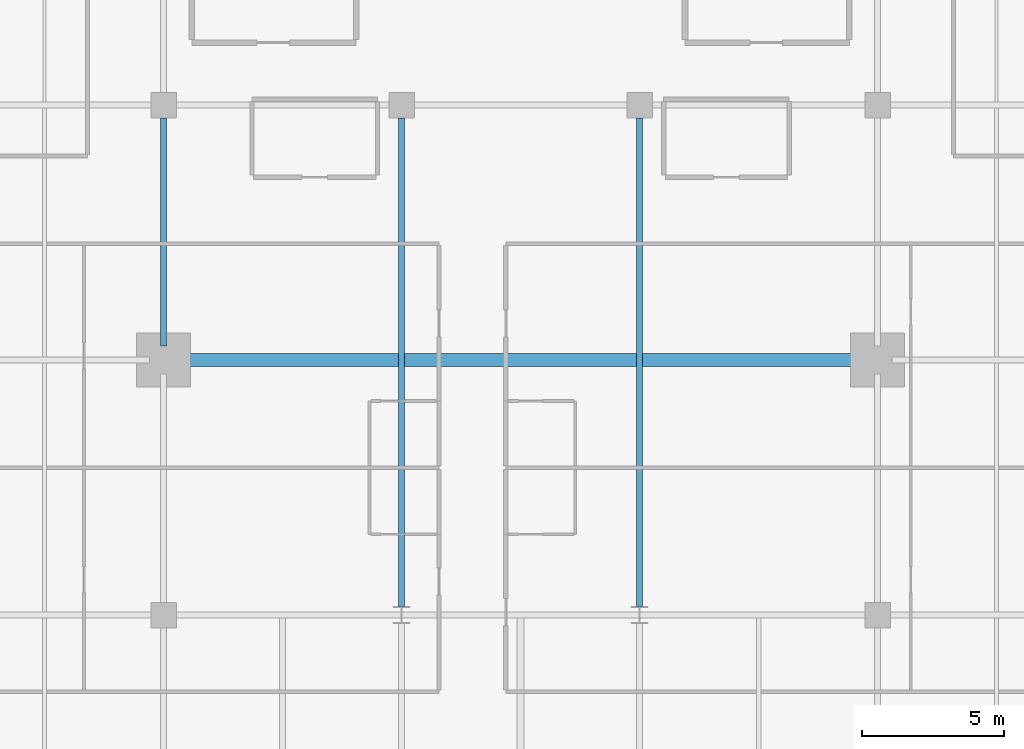
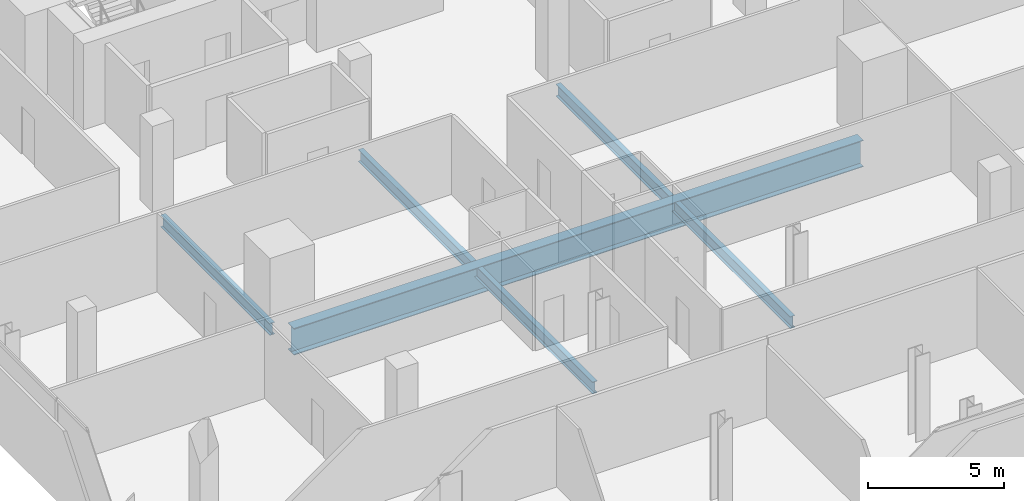
# One storey, part 11 of 32: 4 beams.
"""IFC4 building model written with IfcOpenShell, lengths in metres."""

from ifc_helpers import new_model, si_unit, direction, frame, origin, origin_2d, place, context, subcontext, project, spatial, i_section, extrude, material, material_profile, profile_set, type_object, element, save


model = new_model("IFC4")

# Units and contexts
model_context = context("Model", 3, precision=1e-05, world=origin(), true_north=direction((0.0, 1.0)))
body_context = subcontext(model_context, "Body", "Model", "MODEL_VIEW")
ifc_project = project(units=[si_unit("LENGTHUNIT", "METRE"), si_unit("AREAUNIT", "SQUARE_METRE"), si_unit("VOLUMEUNIT", "CUBIC_METRE"), si_unit("PLANEANGLEUNIT", "RADIAN"), si_unit("MASSUNIT", "GRAM", prefix="KILO")], contexts=[model_context])

# Site, building, storey
site_placement = place(None, origin())
site = spatial("IfcSite", under=ifc_project, at=site_placement, CompositionType="ELEMENT")
building_placement = place(site_placement, origin())
building = spatial("IfcBuilding", under=site, at=building_placement, Name="Maruvema Waterfront Hotel and Observation Tower", CompositionType="ELEMENT")
storey_placement = place(building_placement, frame((0.0, 0.0, 223.64990234375)))
storey = spatial("IfcBuildingStorey", under=building, at=storey_placement, Name="L55", CompositionType="ELEMENT", Elevation=223.64990234375)

# Beams
ifc_material_1 = material(Name="Steel ASTM A572 Grade 50", Category="steel")
ifc_material_profile_1 = material_profile(ifc_material_1, i_section(OverallWidth=0.2109375, OverallDepth=0.5390625, WebThickness=0.01171875, FlangeThickness=0.018798828125, FilletRadius=0.014892578125, at=origin_2d()), Name="W530x109.0")
ifc_profile_set_1 = profile_set([ifc_material_profile_1], Name="Steel ASTM A572 Grade 50")
beam_type_1 = type_object("IfcBeamType", Name="Primary Floor Girder W530x109.0", PredefinedType="BEAM", material=ifc_profile_set_1)
beam_1_placement = place(storey_placement, frame((25.199951171875, 27.5, -0.509521484375), z_axis=(0.0, 1.0, 0.0), x_axis=(-1.0, 0.0, 0.0)))
element("IfcBeam", 1, at=beam_1_placement, inside=storey, type_object=beam_type_1, Name="L55 Floor Girder NS-12", PredefinedType="BEAM", context=body_context, shape_type="SweptSolid", body=[
    extrude(i_section(OverallWidth=0.2109375, OverallDepth=0.5390625, WebThickness=0.01171875, FlangeThickness=0.018798828125, FilletRadius=0.014892578125, at=origin_2d()), origin(), (0.0, 0.0, 1.0), 8.050048828125),
])
for number, where, z_axis, x_axis, name in (
    (2, (33.60009765625, 18.300048828125, -0.509521484375), (0.0, 1.0, 0.0), (-1.0, 0.0, 0.0), "L55 Floor Girder NS-16"),
    (3, (42.0, 18.300048828125, -0.509521484375), (0.0, 1.0, 0.0), (-1.0, 0.0, 0.0), "L55 Floor Girder NS-19"),
):
    element("IfcBeam", number, at=place(storey_placement, frame(where, z_axis=z_axis, x_axis=x_axis)), inside=storey, type_object=beam_type_1, Name=name, PredefinedType="BEAM", context=body_context, shape_type="SweptSolid", body=[
        extrude(i_section(OverallWidth=0.2109375, OverallDepth=0.5390625, WebThickness=0.01171875, FlangeThickness=0.018798828125, FilletRadius=0.014892578125, at=origin_2d()), origin(), (0.0, 0.0, 1.0), 17.25),
    ])
ifc_material_2 = material(Name="Steel ABNT NBR 7007 AR 415 (ASTM A572 Grade 50)", Category="steel")
ifc_material_profile_2 = material_profile(ifc_material_2, i_section(OverallWidth=0.449951171875, OverallDepth=1.199951171875, WebThickness=0.01904296875, FlangeThickness=0.031982421875, at=origin_2d()), Name="VS1200x366")
ifc_profile_set_2 = profile_set([ifc_material_profile_2], Name="Steel ABNT NBR 7007 AR 415 (ASTM A572 Grade 50)")
beam_type_2 = type_object("IfcBeamType", Name="Upper Setback Transfer Girder VS1200x366", PredefinedType="USERDEFINED", material=ifc_profile_set_2)
beam_2_placement = place(storey_placement, frame((25.699951171875, 27.0, -0.83984375), z_axis=(1.0, 0.0, 0.0), x_axis=(0.0, 1.0, 0.0)))
element("IfcBeam", 4, at=beam_2_placement, inside=storey, type_object=beam_type_2, Name="L55 Floor Girder EW-20", ObjectType="TRANSFER GIRDER", PredefinedType="USERDEFINED", context=body_context, shape_type="SweptSolid", body=[
    extrude(i_section(OverallWidth=0.449951171875, OverallDepth=1.199951171875, WebThickness=0.01904296875, FlangeThickness=0.031982421875, at=origin_2d()), origin(), (0.0, 0.0, 1.0), 24.199951171875),
])

save(model, "model.ifc")
